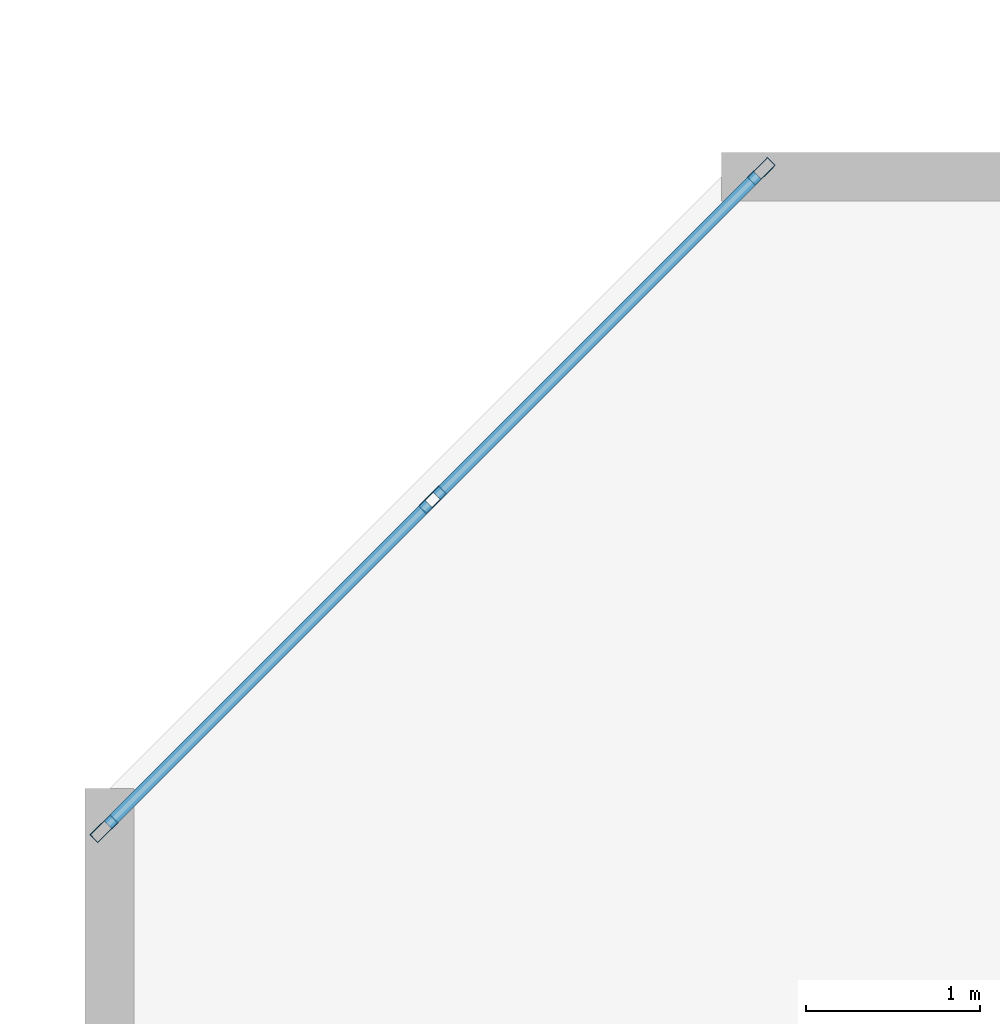
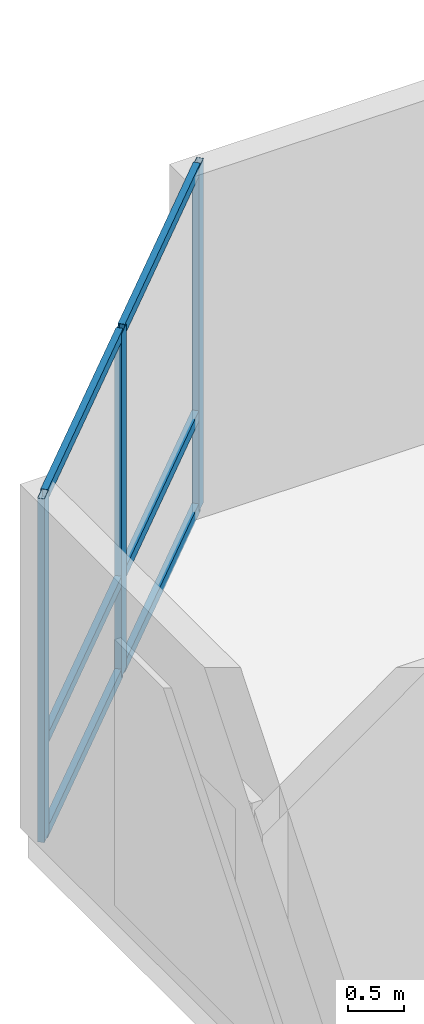
# One storey, part 2 of 10: 9 members, 1 element without a shape of its own.
"""IFC4 building model written with IfcOpenShell, lengths in metres."""

from ifc_helpers import new_model, si_unit, direction, frame, origin, origin_2d, place, context, subcontext, project, spatial, hollow_rectangle, extrude, material, layer, layer_set, material_profile, profile_set, type_object, element, aggregate, save


model = new_model("IFC4")

# Units and contexts
model_context = context("Model", 3, precision=1e-05, world=origin(), true_north=direction((0.0, 1.0)))
body_context = subcontext(model_context, "Body", "Model", "MODEL_VIEW")
ifc_project = project(units=[si_unit("LENGTHUNIT", "METRE"), si_unit("AREAUNIT", "SQUARE_METRE"), si_unit("VOLUMEUNIT", "CUBIC_METRE"), si_unit("PLANEANGLEUNIT", "RADIAN"), si_unit("MASSUNIT", "GRAM", prefix="KILO")], contexts=[model_context])

# Site, building, storey
site_placement = place(None, origin())
site = spatial("IfcSite", under=ifc_project, at=site_placement, CompositionType="ELEMENT")
building_placement = place(site_placement, origin())
building = spatial("IfcBuilding", under=site, at=building_placement, Name="Kestravale Grand Hotel", CompositionType="ELEMENT")
storey_placement = place(building_placement, frame((0.0, 0.0, 253.39990234375)))
storey = spatial("IfcBuildingStorey", under=building, at=storey_placement, Name="L63", CompositionType="ELEMENT", Elevation=253.39990234375)

# Curtain wall, members
ifc_material_1 = material(Name="Thermally broken champagne-bronze aluminium and low-E glazing", Category="aluminium")
ifc_layer = layer(ifc_material_1, 0.179931640625)
ifc_layer_set = layer_set([ifc_layer], Name="CW-Z4")
curtain_wall_type = type_object("IfcCurtainWallType", Name="CW-Z4", PredefinedType="NOTDEFINED", material=ifc_layer_set)
curtain_wall_placement = place(storey_placement, origin())
curtain_wall = element("IfcCurtainWall", 1, at=curtain_wall_placement, inside=storey, type_object=curtain_wall_type, Name="L63 unitised curtain wall 18", PredefinedType="NOTDEFINED")
ifc_material_2 = material(Name="Aluminium 6063-T6 anodised", Category="aluminium")
ifc_material_profile_1 = material_profile(ifc_material_2, hollow_rectangle(XDim=0.06494140625, YDim=0.1650390625, WallThickness=0.00341796875, at=origin_2d()))
ifc_profile_set_1 = profile_set([ifc_material_profile_1], Name="Aluminium 6063-T6 anodised")
member_type_1 = type_object("IfcMemberType", Name="CW-MUL-165", PredefinedType="MULLION", material=ifc_profile_set_1)
member_1_placement = place(storey_placement, frame((11.690185546875, 44.59228515625, 0.0), z_axis=(0.0, 0.0, 1.0), x_axis=(0.707106781187, -0.707106781187, 0.0)))
member_1 = element("IfcMember", 2, at=member_1_placement, type_object=member_type_1, Name="CW-Z4 mullion 1", PredefinedType="MULLION", context=body_context, shape_type="SweptSolid", body=[
    extrude(hollow_rectangle(XDim=0.06494140625, YDim=0.1650390625, WallThickness=0.00341796875, at=origin_2d()), origin(), (0.0, 0.0, 1.0), 3.760009765625),
])
member_2_placement = place(storey_placement, frame((9.799072265625, 42.700927734375, 0.0), z_axis=(0.0, 0.0, 1.0), x_axis=(0.707106781187, -0.707106781187, 0.0)))
member_2 = element("IfcMember", 3, at=member_2_placement, type_object=member_type_1, Name="CW-Z4 mullion 2", PredefinedType="MULLION", context=body_context, shape_type="SweptSolid", body=[
    extrude(hollow_rectangle(XDim=0.06494140625, YDim=0.1650390625, WallThickness=0.00341796875, at=origin_2d()), origin(), (0.0, 0.0, 1.0), 3.760009765625),
])
member_3_placement = place(storey_placement, frame((7.90771484375, 40.809814453125, 0.0), z_axis=(0.0, 0.0, 1.0), x_axis=(0.707106781187, -0.707106781187, 0.0)))
member_3 = element("IfcMember", 4, at=member_3_placement, type_object=member_type_1, Name="CW-Z4 mullion 3", PredefinedType="MULLION", context=body_context, shape_type="SweptSolid", body=[
    extrude(hollow_rectangle(XDim=0.06494140625, YDim=0.1650390625, WallThickness=0.00341796875, at=origin_2d()), origin(), (0.0, 0.0, 1.0), 3.760009765625),
])
ifc_material_3 = material(Name="Aluminium 6063-T6 anodised", Category="aluminium")
ifc_material_profile_2 = material_profile(ifc_material_3, hollow_rectangle(XDim=0.06494140625, YDim=0.114990234375, WallThickness=0.003173828125, at=origin_2d()))
ifc_profile_set_2 = profile_set([ifc_material_profile_2], Name="Aluminium 6063-T6 anodised")
member_type_2 = type_object("IfcMemberType", Name="CW-TRN-115", PredefinedType="USERDEFINED", material=ifc_profile_set_2)
member_4_placement = place(storey_placement, frame((11.667236328125, 44.5693359375, 0.03271484375), z_axis=(-0.707060004037, -0.707153555242, 0.0), x_axis=(0.707153555242, -0.707060004037, 0.0)))
member_4 = element("IfcMember", 5, at=member_4_placement, type_object=member_type_2, Name="CW-Z4 transom 1.1", ObjectType="TRANSOM", PredefinedType="USERDEFINED", context=body_context, shape_type="SweptSolid", body=[
    extrude(hollow_rectangle(XDim=0.06494140625, YDim=0.114990234375, WallThickness=0.003173828125, at=origin_2d()), origin(), (0.0, 0.0, 1.0), 2.609619140625),
])
member_5_placement = place(storey_placement, frame((11.667236328125, 44.5693359375, 1.050048828125), z_axis=(-0.707060004037, -0.707153555242, 0.0), x_axis=(0.707153555242, -0.707060004037, 0.0)))
member_5 = element("IfcMember", 6, at=member_5_placement, type_object=member_type_2, Name="CW-Z4 transom 1.2", ObjectType="TRANSOM", PredefinedType="USERDEFINED", context=body_context, shape_type="SweptSolid", body=[
    extrude(hollow_rectangle(XDim=0.06494140625, YDim=0.114990234375, WallThickness=0.003173828125, at=origin_2d()), origin(), (0.0, 0.0, 1.0), 2.609619140625),
])
member_6_placement = place(storey_placement, frame((11.667236328125, 44.5693359375, 3.7275390625), z_axis=(-0.707060004037, -0.707153555242, 0.0), x_axis=(0.707153555242, -0.707060004037, 0.0)))
member_6 = element("IfcMember", 7, at=member_6_placement, type_object=member_type_2, Name="CW-Z4 transom 1.3", ObjectType="TRANSOM", PredefinedType="USERDEFINED", context=body_context, shape_type="SweptSolid", body=[
    extrude(hollow_rectangle(XDim=0.06494140625, YDim=0.114990234375, WallThickness=0.003173828125, at=origin_2d()), origin(), (0.0, 0.0, 1.0), 2.609619140625),
])
member_7_placement = place(storey_placement, frame((9.776123046875, 42.677978515625, 0.03271484375), z_axis=(-0.707153555242, -0.707060004037, 0.0), x_axis=(0.707060004037, -0.707153555242, 0.0)))
member_7 = element("IfcMember", 8, at=member_7_placement, type_object=member_type_2, Name="CW-Z4 transom 2.1", ObjectType="TRANSOM", PredefinedType="USERDEFINED", context=body_context, shape_type="SweptSolid", body=[
    extrude(hollow_rectangle(XDim=0.06494140625, YDim=0.114990234375, WallThickness=0.003173828125, at=origin_2d()), origin(), (0.0, 0.0, 1.0), 2.609619140625),
])
member_8_placement = place(storey_placement, frame((9.776123046875, 42.677978515625, 1.050048828125), z_axis=(-0.707153555242, -0.707060004037, 0.0), x_axis=(0.707060004037, -0.707153555242, 0.0)))
member_8 = element("IfcMember", 9, at=member_8_placement, type_object=member_type_2, Name="CW-Z4 transom 2.2", ObjectType="TRANSOM", PredefinedType="USERDEFINED", context=body_context, shape_type="SweptSolid", body=[
    extrude(hollow_rectangle(XDim=0.06494140625, YDim=0.114990234375, WallThickness=0.003173828125, at=origin_2d()), origin(), (0.0, 0.0, 1.0), 2.609619140625),
])
member_9_placement = place(storey_placement, frame((9.776123046875, 42.677978515625, 3.7275390625), z_axis=(-0.707153555242, -0.707060004037, 0.0), x_axis=(0.707060004037, -0.707153555242, 0.0)))
member_9 = element("IfcMember", 10, at=member_9_placement, type_object=member_type_2, Name="CW-Z4 transom 2.3", ObjectType="TRANSOM", PredefinedType="USERDEFINED", context=body_context, shape_type="SweptSolid", body=[
    extrude(hollow_rectangle(XDim=0.06494140625, YDim=0.114990234375, WallThickness=0.003173828125, at=origin_2d()), origin(), (0.0, 0.0, 1.0), 2.609619140625),
])
aggregate(curtain_wall, [member_1, member_2, member_3, member_4, member_5, member_6, member_7, member_8, member_9])

save(model, "model.ifc")
